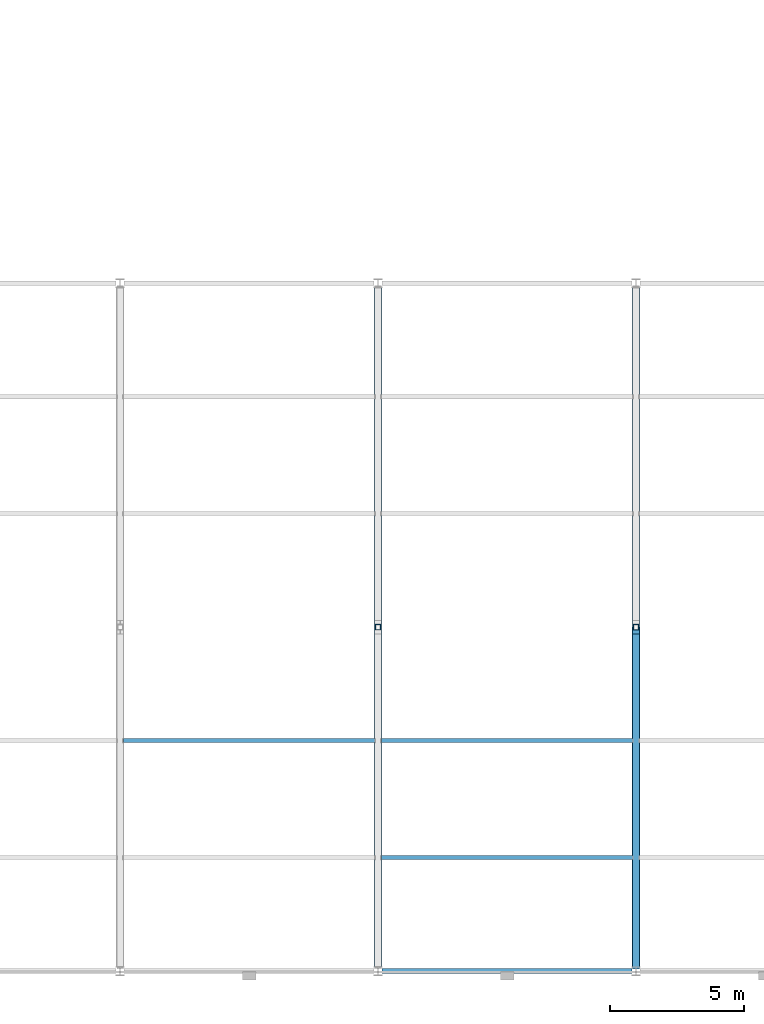
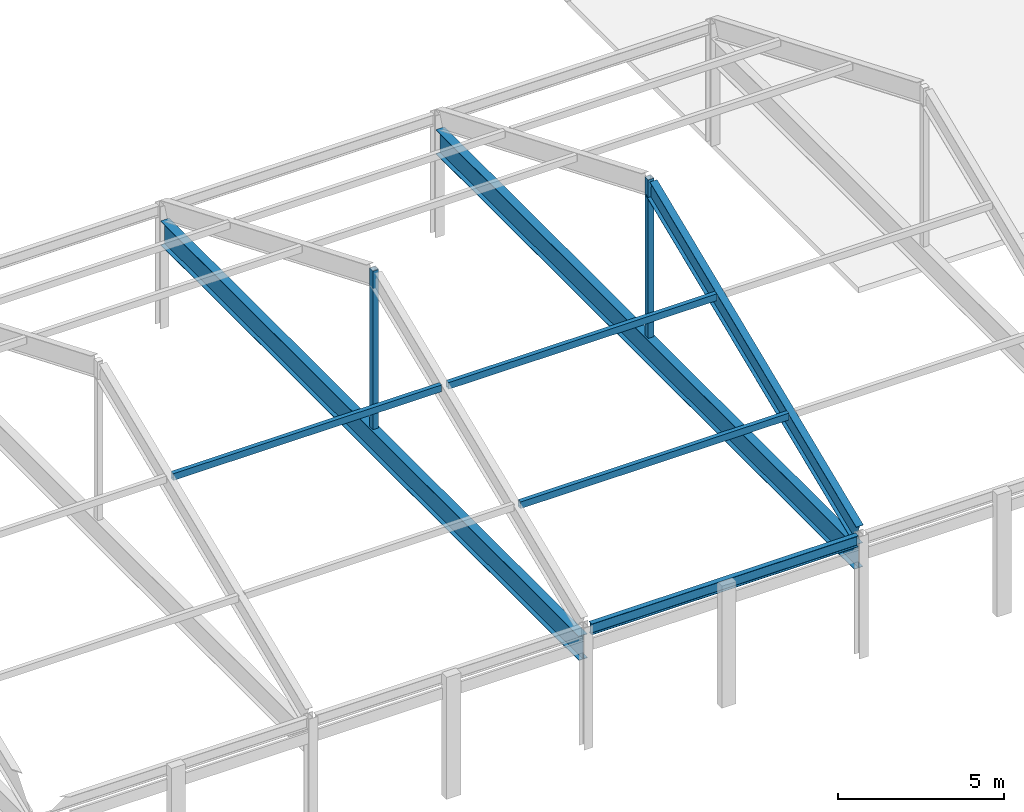
# One storey, part 17 of 88: 5 members, 4 beams.
"""IFC4 building model written with IfcOpenShell, lengths in metres."""

import ifcopenshell
import ifcopenshell.guid

model = None  # the IFC model being written
_history = None  # IfcOwnerHistory: only IFC2X3 demands one
_inside = {}  # id of a spatial element -> (the spatial element, [elements in it])
_under = {}  # id of a project, library or spatial element -> (it, [spatial elements below it])
_declared = {}  # id of a project -> (the project, [libraries it declares])
_typed = {}  # id of a type object -> (the type object, [elements of that type])
_made_of = {}  # id of a material, layer set ... -> (it, [elements and type objects made of it])


def new_model(schema):
    """Start an empty IFC model of exactly this schema.

    Asked for "IFC4X3", IfcOpenShell would pick the latest addendum, in which some entities
    have other attributes; the version numbers below select the first issue.
    IFC2X3 requires an IfcOwnerHistory on every rooted entity: one is made here for all.
    """
    global model, _history
    if schema == "IFC4X3":
        model = ifcopenshell.file(schema_version=(4, 3, 0, 0))
    else:
        model = ifcopenshell.file(schema=schema)
    _inside.clear()
    _under.clear()
    _declared.clear()
    _typed.clear()
    _made_of.clear()
    _history = None
    if model.schema == "IFC2X3":
        org = make("IfcOrganization", Name="unknown")
        user = make(
            "IfcPersonAndOrganization",
            ThePerson=make("IfcPerson", FamilyName="unknown"),
            TheOrganization=org,
        )
        app = make(
            "IfcApplication",
            ApplicationDeveloper=org,
            Version="unknown",
            ApplicationFullName="unknown",
            ApplicationIdentifier="unknown",
        )
        _history = make(
            "IfcOwnerHistory",
            OwningUser=user,
            OwningApplication=app,
            ChangeAction="ADDED",
            CreationDate=0,
        )
    return model


def make(cls, **values):
    """One entity of the class cls with the attributes given. An attribute that is None is left unset."""
    return model.create_entity(
        cls, **{name: value for name, value in values.items() if value is not None}
    )


def rooted(cls, **values):
    """An entity with a GlobalId (a new one), such as an element, a storey or a relation."""
    return make(cls, GlobalId=ifcopenshell.guid.new(), OwnerHistory=_history, **values)


def si_unit(unit_type, name, prefix=None):
    """IfcSIUnit, for example si_unit("LENGTHUNIT", "METRE", prefix="MILLI")."""
    return make("IfcSIUnit", UnitType=unit_type, Prefix=prefix, Name=name)


def assignment(units):
    """IfcUnitAssignment: the units of a project."""
    return None if units is None else make("IfcUnitAssignment", Units=units)


def point(xyz):
    """IfcCartesianPoint."""
    return None if xyz is None else make("IfcCartesianPoint", Coordinates=xyz)


def direction(xyz):
    """IfcDirection."""
    return None if xyz is None else make("IfcDirection", DirectionRatios=xyz)


def frame(location, z_axis=None, x_axis=None):
    """IfcAxis2Placement3D, a coordinate frame: its origin and axes. An axis left out is left unset."""
    return make(
        "IfcAxis2Placement3D",
        Location=point(location),
        Axis=direction(z_axis),
        RefDirection=direction(x_axis),
    )


def frame_2d(location, x_axis=None):
    """IfcAxis2Placement2D, a coordinate frame in the plane: its origin and x axis."""
    return make(
        "IfcAxis2Placement2D", Location=point(location), RefDirection=direction(x_axis)
    )


def origin():
    """The frame at (0, 0, 0) with its axes left unset."""
    return frame((0.0, 0.0, 0.0))


def origin_2d():
    """The frame at (0, 0) in the plane with its x axis left unset."""
    return frame_2d((0.0, 0.0))


def place(relative_to, where):
    """IfcLocalPlacement: puts the frame where relative to a parent placement (None: the world)."""
    return make(
        "IfcLocalPlacement", PlacementRelTo=relative_to, RelativePlacement=where
    )


def context(
    kind, dimensions, precision=None, world=None, true_north=None, identifier=None
):
    """IfcGeometricRepresentationContext, for example the 3D "Model" context."""
    return make(
        "IfcGeometricRepresentationContext",
        ContextIdentifier=identifier,
        ContextType=kind,
        CoordinateSpaceDimension=dimensions,
        Precision=precision,
        WorldCoordinateSystem=world,
        TrueNorth=true_north,
    )


def subcontext(parent, identifier, kind, view, scale=None):
    """IfcGeometricRepresentationSubContext, for example "Body" below "Model"."""
    return make(
        "IfcGeometricRepresentationSubContext",
        ContextIdentifier=identifier,
        ContextType=kind,
        ParentContext=parent,
        TargetScale=scale,
        TargetView=view,
    )


def project(units=None, contexts=None):
    """IfcProject with its units and contexts."""
    return rooted(
        "IfcProject",
        Name="project",
        RepresentationContexts=contexts,
        UnitsInContext=assignment(units),
    )


def spatial(cls, under=None, at=None, **own):
    """A site, building, storey or space (cls), placed at a placement, below another one or the project."""
    s = rooted(cls, ObjectPlacement=at, **own)
    if under is not None:
        _under.setdefault(under.id(), (under, []))[1].append(s)
    return s


def profile(cls, at=None, kind="AREA", **sizes):
    """A parametric profile (cls). Its sizes go by their IFC names, for example OverallWidth=200.0."""
    return make(cls, ProfileType=kind, Position=at, **sizes)


def hollow_rectangle(**sizes):
    """IfcRectangleHollowProfileDef."""
    return profile("IfcRectangleHollowProfileDef", **sizes)


def i_section(**sizes):
    """IfcIShapeProfileDef."""
    return profile("IfcIShapeProfileDef", **sizes)


def extrude(swept, where, along, depth):
    """IfcExtrudedAreaSolid: the profile swept, set in the frame where, extruded along a direction by depth."""
    return make(
        "IfcExtrudedAreaSolid",
        SweptArea=swept,
        Position=where,
        ExtrudedDirection=direction(along),
        Depth=depth,
    )


def shape(context_of_items, identifier, shape_type, items):
    """IfcShapeRepresentation: the items that make up one representation, for example the "Body"."""
    return make(
        "IfcShapeRepresentation",
        ContextOfItems=context_of_items,
        RepresentationIdentifier=identifier,
        RepresentationType=shape_type,
        Items=items,
    )


def material(Name=None, Category=None):
    """IfcMaterial."""
    return make("IfcMaterial", Name=Name, Category=Category)


def material_profile(
    of_material, cross_section, Name=None, Category=None, Priority=None
):
    """IfcMaterialProfile: a cross section and its material."""
    return make(
        "IfcMaterialProfile",
        Name=Name,
        Material=of_material,
        Profile=cross_section,
        Priority=Priority,
        Category=Category,
    )


def profile_set(profiles, Name=None, composite=None):
    """IfcMaterialProfileSet."""
    return make(
        "IfcMaterialProfileSet",
        Name=Name,
        MaterialProfiles=profiles,
        CompositeProfile=composite,
    )


def made_of(thing, what):
    """Note that an element or type object is made of a material, layer set ...; save() writes the relation."""
    if what is not None:
        _made_of.setdefault(what.id(), (what, []))[1].append(thing)
    return thing


def type_object(cls, material=None, **own):
    """A type object (cls), such as IfcWallType, which elements share."""
    return made_of(rooted(cls, **own), material)


def element(
    cls,
    number,
    at=None,
    inside=None,
    cuts=None,
    type_object=None,
    material=None,
    context=None,
    identifier="Body",
    shape_type=None,
    held_by="IfcProductDefinitionShape",
    body=None,
    shapes=None,
    **own,
):
    """One element of the class cls, such as IfcWall. Its Tag is "e" and its number.

    at: its placement. inside: the storey or other place that contains it. cuts: it is an
    opening in that element (IfcRelVoidsElement). A single representation is given by context,
    identifier, shape_type and body (its items); several are given by shapes. held_by: the class
    of the entity that holds the representations. save() writes the other relations.
    """
    e = rooted(cls, Tag="e%d" % number, ObjectPlacement=at, **own)
    if body is not None:
        shapes = [shape(context, identifier, shape_type, body)]
    if shapes is not None:
        e.Representation = make(held_by, Representations=shapes)
    if inside is not None:
        _inside.setdefault(inside.id(), (inside, []))[1].append(e)
    if cuts is not None:
        rooted(
            "IfcRelVoidsElement", RelatingBuildingElement=cuts, RelatedOpeningElement=e
        )
    if type_object is not None:
        _typed.setdefault(type_object.id(), (type_object, []))[1].append(e)
    return made_of(e, material)


def aggregate(whole, parts):
    """IfcRelAggregates: a whole, such as a stair, and the parts it consists of."""
    return rooted("IfcRelAggregates", RelatingObject=whole, RelatedObjects=parts)


def save(model, path):
    """Write the relations noted so far, then the file.

    IfcRelAggregates (storeys below a building ...), IfcRelContainedInSpatialStructure (elements
    in a storey), IfcRelDefinesByType, IfcRelAssociatesMaterial and IfcRelDeclares: one each for
    every whole, place, type object, material and project.
    """
    for whole, parts in _under.values():
        aggregate(whole, parts)
    for where, things in _inside.values():
        rooted(
            "IfcRelContainedInSpatialStructure",
            RelatedElements=things,
            RelatingStructure=where,
        )
    for kind, things in _typed.values():
        rooted("IfcRelDefinesByType", RelatedObjects=things, RelatingType=kind)
    for what, things in _made_of.values():
        rooted("IfcRelAssociatesMaterial", RelatedObjects=things, RelatingMaterial=what)
    for by, libraries in _declared.values():
        rooted("IfcRelDeclares", RelatingContext=by, RelatedDefinitions=libraries)
    model.write(path)


model = new_model("IFC4")

# Units and contexts
model_context = context("Model", 3, precision=1e-05, world=origin(), true_north=direction((0.0, 1.0)))
body_context = subcontext(model_context, "Body", "Model", "MODEL_VIEW")
ifc_project = project(units=[si_unit("LENGTHUNIT", "METRE"), si_unit("AREAUNIT", "SQUARE_METRE"), si_unit("VOLUMEUNIT", "CUBIC_METRE"), si_unit("PLANEANGLEUNIT", "RADIAN"), si_unit("MASSUNIT", "GRAM", prefix="KILO")], contexts=[model_context])

# Site, building, storey
site_placement = place(None, origin())
site = spatial("IfcSite", under=ifc_project, at=site_placement, CompositionType="ELEMENT")
building_placement = place(site_placement, origin())
building = spatial("IfcBuilding", under=site, at=building_placement, Name="Sarnbrook Museum", CompositionType="ELEMENT")
storey_placement = place(building_placement, frame((0.0, 0.0, 10.10009765625)))
storey = spatial("IfcBuildingStorey", under=building, at=storey_placement, Name="L02", CompositionType="ELEMENT", Elevation=10.10009765625)

# Beams
ifc_material_1 = material(Name="Structural Steel Grade 350L0 (AS/NZS 3678, fy = 340 MPa for 20 < t <= 40 mm)", Category="steel")
ifc_material_profile_1 = material_profile(ifc_material_1, i_section(OverallWidth=0.25, OverallDepth=0.699951171875, WebThickness=0.010009765625, FlangeThickness=0.01611328125, at=origin_2d()), Name="700WB130")
ifc_profile_set_1 = profile_set([ifc_material_profile_1], Name="Structural Steel Grade 350L0 (AS/NZS 3678, fy = 340 MPa for 20 < t <= 40 mm)")
beam_type_1 = type_object("IfcBeamType", Name="BM-WB700", PredefinedType="BEAM", material=ifc_profile_set_1)
beam_1_placement = place(storey_placement, frame((71.199951171875, 5.02001953125, 4.3798828125), z_axis=(0.0, 0.923590091766, 0.38338145807), x_axis=(-1.0, 0.0, 0.0)))
element("IfcBeam", 1, at=beam_1_placement, inside=storey, type_object=beam_type_1, Name="Auditorium Roof Truss South Rafter X=71.2", PredefinedType="BEAM", context=body_context, shape_type="SweptSolid", body=[
    extrude(i_section(OverallWidth=0.25, OverallDepth=0.699951171875, WebThickness=0.010009765625, FlangeThickness=0.01611328125, at=origin_2d()), origin(), (0.0, 0.0, 1.0), 13.49072265625),
])
ifc_material_profile_2 = material_profile(ifc_material_1, i_section(OverallWidth=0.300048828125, OverallDepth=0.89990234375, WebThickness=0.011962890625, FlangeThickness=0.02001953125, at=origin_2d()), Name="900WB175")
ifc_profile_set_2 = profile_set([ifc_material_profile_2], Name="Structural Steel Grade 350L0 (AS/NZS 3678, fy = 340 MPa for 20 < t <= 40 mm)")
beam_type_2 = type_object("IfcBeamType", Name="BM-WB900", PredefinedType="BEAM", material=ifc_profile_set_2)
for number, where, z_axis, x_axis, name in (
    (2, (61.60009765625, 4.969970703125, 3.5498046875), (0.0, 1.0, 0.0), (-1.0, 0.0, 0.0), "Auditorium Roof Truss Bottom Chord X=61.6"),
    (3, (71.199951171875, 4.969970703125, 3.5498046875), (0.0, 1.0, 0.0), (-1.0, 0.0, 0.0), "Auditorium Roof Truss Bottom Chord X=71.2"),
):
    element("IfcBeam", number, at=place(storey_placement, frame(where, z_axis=z_axis, x_axis=x_axis)), inside=storey, type_object=beam_type_2, Name=name, PredefinedType="BEAM", context=body_context, shape_type="SweptSolid", body=[
        extrude(i_section(OverallWidth=0.300048828125, OverallDepth=0.89990234375, WebThickness=0.011962890625, FlangeThickness=0.02001953125, at=origin_2d()), origin(), (0.0, 0.0, 1.0), 25.260009765625),
    ])

# Members
ifc_material_2 = material(Name="Structural Steel Hollow Section Grade C350L0 (AS/NZS 1163, fy = 350 MPa)", Category="steel")
ifc_material_profile_3 = material_profile(ifc_material_2, hollow_rectangle(XDim=0.199951171875, YDim=0.199951171875, WallThickness=0.010009765625, at=origin_2d()), Name="200x200x10.0SHS")
ifc_profile_set_3 = profile_set([ifc_material_profile_3], Name="Structural Steel Hollow Section Grade C350L0 (AS/NZS 1163, fy = 350 MPa)")
member_type_1 = type_object("IfcMemberType", Name="CH-SHS200", PredefinedType="CHORD", material=ifc_profile_set_3)
for number, where, z_axis, x_axis, name in (
    (4, (61.60009765625, 17.60009765625, 3.97998046875), (0.0, 0.0, 1.0), (1.0, 0.0, 0.0), "Auditorium Truss Kingpost X=61.6"),
    (5, (71.199951171875, 17.60009765625, 3.97998046875), (0.0, 0.0, 1.0), (1.0, 0.0, 0.0), "Auditorium Truss Kingpost X=71.2"),
):
    element("IfcMember", number, at=place(storey_placement, frame(where, z_axis=z_axis, x_axis=x_axis)), inside=storey, type_object=member_type_1, Name=name, PredefinedType="CHORD", context=body_context, shape_type="SweptSolid", body=[
        extrude(hollow_rectangle(XDim=0.199951171875, YDim=0.199951171875, WallThickness=0.010009765625, at=origin_2d()), origin(), (0.0, 0.0, 1.0), 5.86181640625),
    ])
ifc_material_profile_4 = material_profile(ifc_material_2, hollow_rectangle(XDim=0.14990234375, YDim=0.25, WallThickness=0.009033203125, at=origin_2d()), Name="250x150x9.0RHS")
ifc_profile_set_4 = profile_set([ifc_material_profile_4], Name="Structural Steel Hollow Section Grade C350L0 (AS/NZS 1163, fy = 350 MPa)")
member_type_2 = type_object("IfcMemberType", Name="PR-RHS250", PredefinedType="PURLIN", material=ifc_profile_set_4)
member_1_placement = place(storey_placement, frame((61.719970703125, 9.02392578125, 6.32177734375), z_axis=(1.0, 0.0, 0.0), x_axis=(0.0, 1.0, 0.0)))
element("IfcMember", 6, at=member_1_placement, inside=storey, type_object=member_type_2, Name="Auditorium Roof Purlin S-3", PredefinedType="PURLIN", context=body_context, shape_type="SweptSolid", body=[
    extrude(hollow_rectangle(XDim=0.14990234375, YDim=0.25, WallThickness=0.009033203125, at=origin_2d()), origin(), (0.0, 0.0, 1.0), 9.360107421875),
])
member_2_placement = place(storey_placement, frame((52.1201171875, 13.3759765625, 8.080078125), z_axis=(1.0, 0.0, 0.0), x_axis=(0.0, 1.0, 0.0)))
element("IfcMember", 7, at=member_2_placement, inside=storey, type_object=member_type_2, Name="Auditorium Roof Purlin S-2", PredefinedType="PURLIN", context=body_context, shape_type="SweptSolid", body=[
    extrude(hollow_rectangle(XDim=0.14990234375, YDim=0.25, WallThickness=0.009033203125, at=origin_2d()), origin(), (0.0, 0.0, 1.0), 9.35986328125),
])
member_3_placement = place(storey_placement, frame((61.719970703125, 13.3759765625, 8.080078125), z_axis=(1.0, 0.0, 0.0), x_axis=(0.0, 1.0, 0.0)))
element("IfcMember", 8, at=member_3_placement, inside=storey, type_object=member_type_2, Name="Auditorium Roof Purlin S-3", PredefinedType="PURLIN", context=body_context, shape_type="SweptSolid", body=[
    extrude(hollow_rectangle(XDim=0.14990234375, YDim=0.25, WallThickness=0.009033203125, at=origin_2d()), origin(), (0.0, 0.0, 1.0), 9.360107421875),
])

# Beam
ifc_material_3 = material(Name="Structural Steel Grade 300PLUS (AS/NZS 3679.1, fy = 280 MPa for 17 < t <= 40 mm, 300 MPa for t <= 17 mm)", Category="steel")
ifc_material_profile_5 = material_profile(ifc_material_3, i_section(OverallWidth=0.177978515625, OverallDepth=0.406005859375, WebThickness=0.0078125, FlangeThickness=0.0126953125, FilletRadius=0.011474609375, at=origin_2d()), Name="410UB59.7")
ifc_profile_set_5 = profile_set([ifc_material_profile_5], Name="Structural Steel Grade 300PLUS (AS/NZS 3679.1, fy = 280 MPa for 17 < t <= 40 mm, 300 MPa for t <= 17 mm)")
beam_type_3 = type_object("IfcBeamType", Name="SP-UB410", PredefinedType="SPANDREL", material=ifc_profile_set_5)
beam_2_placement = place(storey_placement, frame((61.75, 4.800048828125, 4.296875), z_axis=(1.0, 0.0, 0.0), x_axis=(0.0, 1.0, 0.0)))
element("IfcBeam", 9, at=beam_2_placement, inside=storey, type_object=beam_type_3, Name="Auditorium Eaves Entablature Spandrel A:7-8 L02", PredefinedType="SPANDREL", context=body_context, shape_type="SweptSolid", body=[
    extrude(i_section(OverallWidth=0.177978515625, OverallDepth=0.406005859375, WebThickness=0.0078125, FlangeThickness=0.0126953125, FilletRadius=0.011474609375, at=origin_2d()), origin(), (0.0, 0.0, 1.0), 9.300048828125),
])

save(model, "model.ifc")
